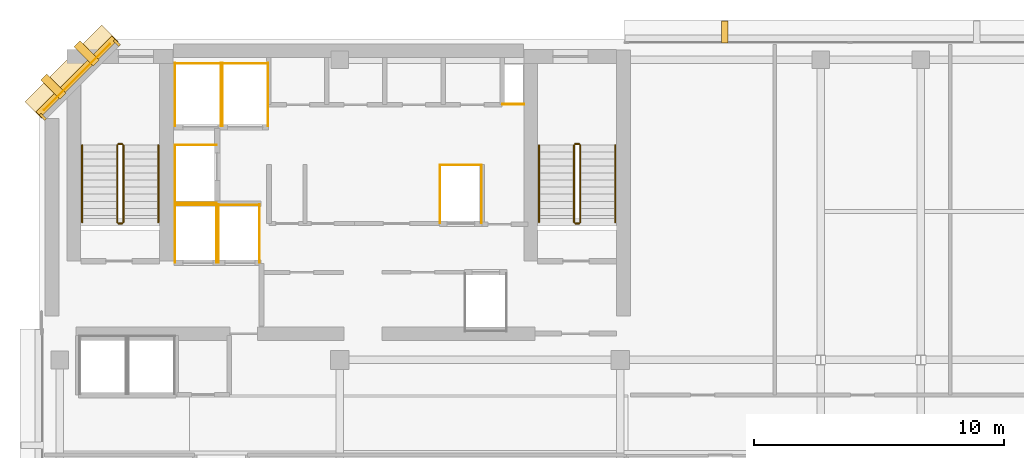
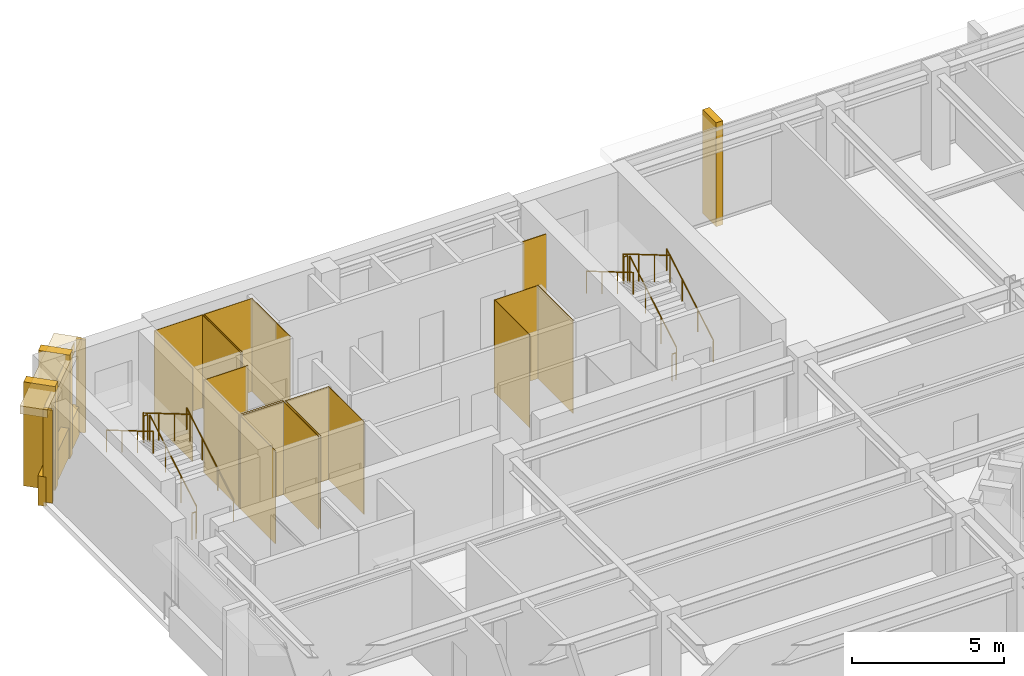
# One storey, part 11 of 12: 27 coverings, 12 railings.
"""IFC4 building model written with IfcOpenShell, lengths in metres."""

from ifc_helpers import new_model, si_unit, direction, frame, origin, origin_2d, place, context, subcontext, project, spatial, polyline, rectangle, circle, outline, extrude, material, layer, layer_set, type_object, element, save


model = new_model("IFC4")

# Units and contexts
model_context = context("Model", 3, precision=1e-05, world=origin(), true_north=direction((0.0, 1.0)))
body_context = subcontext(model_context, "Body", "Model", "MODEL_VIEW")
ifc_project = project(units=[si_unit("LENGTHUNIT", "METRE"), si_unit("AREAUNIT", "SQUARE_METRE"), si_unit("VOLUMEUNIT", "CUBIC_METRE"), si_unit("PLANEANGLEUNIT", "RADIAN"), si_unit("MASSUNIT", "GRAM", prefix="KILO")], contexts=[model_context])

# Site, building, storey
site_placement = place(None, origin())
site = spatial("IfcSite", under=ifc_project, at=site_placement, CompositionType="ELEMENT")
building_placement = place(site_placement, origin())
building = spatial("IfcBuilding", under=site, at=building_placement, Name="Kefirva Bronze Tower", CompositionType="ELEMENT")
storey_placement = place(building_placement, frame((0.0, 0.0, 296.010009765625)))
storey = spatial("IfcBuildingStorey", under=building, at=storey_placement, Name="L72", CompositionType="ELEMENT", Elevation=296.010009765625)

# Coverings
ifc_material_1 = material(Name="Bronze anodised aluminium", Category="aluminium")
ifc_layer_1 = layer(ifc_material_1, 0.02001953125, Name="Bronze anodised aluminium")
ifc_layer_set_1 = layer_set([ifc_layer_1], Name="Bronze anodised aluminium")
covering_type_1 = type_object("IfcCoveringType", Name="Anodised Bronze Spandrel Cladding 20mm", PredefinedType="CLADDING", material=ifc_layer_set_1)
covering_1_placement = place(storey_placement, frame((1.492919921875, 44.507080078125, 3.320068359375), z_axis=(0.0, 0.0, 1.0), x_axis=(-0.707106781187, -0.707106781187, 0.0)))
element("IfcCovering", 1, at=covering_1_placement, inside=storey, type_object=covering_type_1, Name="L72 Bronze Spandrel Cladding 9", PredefinedType="CLADDING", context=body_context, shape_type="SweptSolid", body=[
    extrude(rectangle(XDim=3.719482421875, YDim=0.02001953125, at=origin_2d()), origin(), (0.0, 0.0, 1.0), 0.39990234375),
])
for number, where, z_axis, x_axis, name in (
    (2, (3.08837890625, 45.862060546875, 0.0), (0.0, 0.0, 1.0), (-0.707106781187, -0.707106781187, 0.0), "L72 Facade Joint Closure Panel 9S"),
    (3, (0.137939453125, 42.91162109375, 0.0), (0.0, 0.0, 1.0), (-0.707106781187, -0.707106781187, 0.0), "L72 Facade Joint Closure Panel 9E"),
):
    element("IfcCovering", number, at=place(storey_placement, frame(where, z_axis=z_axis, x_axis=x_axis)), inside=storey, type_object=covering_type_1, Name=name, PredefinedType="CLADDING", context=body_context, shape_type="SweptSolid", body=[
        extrude(rectangle(XDim=0.10009765625, YDim=0.320068359375, at=origin_2d()), origin(), (0.0, 0.0, 1.0), 3.739990234375),
    ])
covering_2_placement = place(storey_placement, frame((1.4716796875, 44.5283203125, -0.16015625), z_axis=(0.0, 0.0, 1.0), x_axis=(-0.707106781187, -0.707106781187, 0.0)))
element("IfcCovering", 4, at=covering_2_placement, inside=storey, type_object=covering_type_1, Name="L72 Streamline Horizontal Spandrel Band 13", PredefinedType="CLADDING", context=body_context, shape_type="SweptSolid", body=[
    extrude(rectangle(XDim=4.28271484375, YDim=0.280029296875, at=origin_2d()), origin(), (0.0, 0.0, 1.0), 1.179931640625),
])
covering_3_placement = place(storey_placement, origin())
element("IfcCovering", 5, at=covering_3_placement, inside=storey, type_object=covering_type_1, Name="L72 Lift FF1 Hoistway Liner N", PredefinedType="CLADDING", context=body_context, shape_type="SweptSolid", body=[
    extrude(outline(polyline([(5.39990234375, 39.389892578125), (7.080078125, 39.389892578125), (7.080078125, 39.409912109375), (5.39990234375, 39.409912109375), (5.39990234375, 39.389892578125)])), origin(), (0.0, 0.0, 1.0), 3.739990234375),
])
covering_4_placement = place(storey_placement, origin())
element("IfcCovering", 6, at=covering_4_placement, inside=storey, type_object=covering_type_1, Name="L72 Lift FF1 Hoistway Liner W", PredefinedType="CLADDING", context=body_context, shape_type="SweptSolid", body=[
    extrude(outline(polyline([(5.409912109375, 37.080078125), (5.429931640625, 37.080078125), (5.429931640625, 39.419921875), (5.409912109375, 39.419921875), (5.409912109375, 37.080078125)])), origin(), (0.0, 0.0, 1.0), 3.739990234375),
])
covering_5_placement = place(storey_placement, origin())
element("IfcCovering", 7, at=covering_5_placement, inside=storey, type_object=covering_type_1, Name="L72 Lift FF1 Hoistway Liner E", PredefinedType="CLADDING", context=body_context, shape_type="SweptSolid", body=[
    extrude(outline(polyline([(7.050048828125, 37.080078125), (7.070068359375, 37.080078125), (7.070068359375, 39.419921875), (7.050048828125, 39.419921875), (7.050048828125, 37.080078125)])), origin(), (0.0, 0.0, 1.0), 3.739990234375),
])
covering_6_placement = place(storey_placement, origin())
element("IfcCovering", 8, at=covering_6_placement, inside=storey, type_object=covering_type_1, Name="L72 Lift FF2 Hoistway Liner N", PredefinedType="CLADDING", context=body_context, shape_type="SweptSolid", body=[
    extrude(outline(polyline([(7.1201171875, 39.389892578125), (8.800048828125, 39.389892578125), (8.800048828125, 39.409912109375), (7.1201171875, 39.409912109375), (7.1201171875, 39.389892578125)])), origin(), (0.0, 0.0, 1.0), 3.739990234375),
])
covering_7_placement = place(storey_placement, origin())
element("IfcCovering", 9, at=covering_7_placement, inside=storey, type_object=covering_type_1, Name="L72 Lift FF2 Hoistway Liner W", PredefinedType="CLADDING", context=body_context, shape_type="SweptSolid", body=[
    extrude(outline(polyline([(7.1298828125, 37.080078125), (7.14990234375, 37.080078125), (7.14990234375, 39.419921875), (7.1298828125, 39.419921875), (7.1298828125, 37.080078125)])), origin(), (0.0, 0.0, 1.0), 3.739990234375),
])
covering_8_placement = place(storey_placement, origin())
element("IfcCovering", 10, at=covering_8_placement, inside=storey, type_object=covering_type_1, Name="L72 Lift FF2 Hoistway Liner E", PredefinedType="CLADDING", context=body_context, shape_type="SweptSolid", body=[
    extrude(outline(polyline([(8.77001953125, 37.080078125), (8.7900390625, 37.080078125), (8.7900390625, 39.419921875), (8.77001953125, 39.419921875), (8.77001953125, 37.080078125)])), origin(), (0.0, 0.0, 1.0), 3.739990234375),
])
covering_9_placement = place(storey_placement, origin())
element("IfcCovering", 11, at=covering_9_placement, inside=storey, type_object=covering_type_1, Name="L72 Lift SV1 Hoistway Liner N", PredefinedType="CLADDING", context=body_context, shape_type="SweptSolid", body=[
    extrude(outline(polyline([(5.39990234375, 45.0400390625), (7.260009765625, 45.0400390625), (7.260009765625, 45.06005859375), (5.39990234375, 45.06005859375), (5.39990234375, 45.0400390625)])), origin(), (0.0, 0.0, 1.0), 3.739990234375),
])
covering_10_placement = place(storey_placement, origin())
element("IfcCovering", 12, at=covering_10_placement, inside=storey, type_object=covering_type_1, Name="L72 Lift SV1 Hoistway Liner W", PredefinedType="CLADDING", context=body_context, shape_type="SweptSolid", body=[
    extrude(outline(polyline([(5.409912109375, 42.530029296875), (5.429931640625, 42.530029296875), (5.429931640625, 45.070068359375), (5.409912109375, 45.070068359375), (5.409912109375, 42.530029296875)])), origin(), (0.0, 0.0, 1.0), 3.739990234375),
])
covering_11_placement = place(storey_placement, origin())
element("IfcCovering", 13, at=covering_11_placement, inside=storey, type_object=covering_type_1, Name="L72 Lift SV1 Hoistway Liner E", PredefinedType="CLADDING", context=body_context, shape_type="SweptSolid", body=[
    extrude(outline(polyline([(7.22998046875, 42.530029296875), (7.25, 42.530029296875), (7.25, 45.070068359375), (7.22998046875, 45.070068359375), (7.22998046875, 42.530029296875)])), origin(), (0.0, 0.0, 1.0), 3.739990234375),
])
covering_12_placement = place(storey_placement, origin())
element("IfcCovering", 14, at=covering_12_placement, inside=storey, type_object=covering_type_1, Name="L72 Lift SV2 Hoistway Liner N", PredefinedType="CLADDING", context=body_context, shape_type="SweptSolid", body=[
    extrude(outline(polyline([(7.280029296875, 45.0400390625), (9.139892578125, 45.0400390625), (9.139892578125, 45.06005859375), (7.280029296875, 45.06005859375), (7.280029296875, 45.0400390625)])), origin(), (0.0, 0.0, 1.0), 3.739990234375),
])
covering_13_placement = place(storey_placement, origin())
element("IfcCovering", 15, at=covering_13_placement, inside=storey, type_object=covering_type_1, Name="L72 Lift SV2 Hoistway Liner W", PredefinedType="CLADDING", context=body_context, shape_type="SweptSolid", body=[
    extrude(outline(polyline([(7.2900390625, 42.530029296875), (7.31005859375, 42.530029296875), (7.31005859375, 45.070068359375), (7.2900390625, 45.070068359375), (7.2900390625, 42.530029296875)])), origin(), (0.0, 0.0, 1.0), 3.739990234375),
])
covering_14_placement = place(storey_placement, origin())
element("IfcCovering", 16, at=covering_14_placement, inside=storey, type_object=covering_type_1, Name="L72 Lift SV2 Hoistway Liner E", PredefinedType="CLADDING", context=body_context, shape_type="SweptSolid", body=[
    extrude(outline(polyline([(9.110107421875, 42.530029296875), (9.1298828125, 42.530029296875), (9.1298828125, 45.070068359375), (9.110107421875, 45.070068359375), (9.110107421875, 42.530029296875)])), origin(), (0.0, 0.0, 1.0), 3.739990234375),
])
covering_15_placement = place(storey_placement, origin())
element("IfcCovering", 17, at=covering_15_placement, inside=storey, type_object=covering_type_1, Name="L72 Lift HP2 Hoistway Liner N", PredefinedType="CLADDING", context=body_context, shape_type="SweptSolid", body=[
    extrude(outline(polyline([(15.97998046875, 40.969970703125), (17.669921875, 40.969970703125), (17.669921875, 40.989990234375), (15.97998046875, 40.989990234375), (15.97998046875, 40.969970703125)])), origin(), (0.0, 0.0, 1.0), 3.739990234375),
])
covering_16_placement = place(storey_placement, origin())
element("IfcCovering", 18, at=covering_16_placement, inside=storey, type_object=covering_type_1, Name="L72 Lift HP2 Hoistway Liner W", PredefinedType="CLADDING", context=body_context, shape_type="SweptSolid", body=[
    extrude(outline(polyline([(15.989990234375, 38.659912109375), (16.010009765625, 38.659912109375), (16.010009765625, 41.0), (15.989990234375, 41.0), (15.989990234375, 38.659912109375)])), origin(), (0.0, 0.0, 1.0), 3.739990234375),
])
covering_17_placement = place(storey_placement, origin())
element("IfcCovering", 19, at=covering_17_placement, inside=storey, type_object=covering_type_1, Name="L72 Lift HP2 Hoistway Liner E", PredefinedType="CLADDING", context=body_context, shape_type="SweptSolid", body=[
    extrude(outline(polyline([(17.639892578125, 38.659912109375), (17.659912109375, 38.659912109375), (17.659912109375, 41.0), (17.639892578125, 41.0), (17.639892578125, 38.659912109375)])), origin(), (0.0, 0.0, 1.0), 3.739990234375),
])
covering_18_placement = place(storey_placement, origin())
element("IfcCovering", 20, at=covering_18_placement, inside=storey, type_object=covering_type_1, Name="L72 Lift HP3 Hoistway Liner N", PredefinedType="CLADDING", context=body_context, shape_type="SweptSolid", body=[
    extrude(outline(polyline([(5.39990234375, 41.77001953125), (7.080078125, 41.77001953125), (7.080078125, 41.7900390625), (5.39990234375, 41.7900390625), (5.39990234375, 41.77001953125)])), origin(), (0.0, 0.0, 1.0), 3.739990234375),
])
covering_19_placement = place(storey_placement, origin())
element("IfcCovering", 21, at=covering_19_placement, inside=storey, type_object=covering_type_1, Name="L72 Lift HP3 Hoistway Liner S", PredefinedType="CLADDING", context=body_context, shape_type="SweptSolid", body=[
    extrude(outline(polyline([(5.39990234375, 39.469970703125), (7.080078125, 39.469970703125), (7.080078125, 39.489990234375), (5.39990234375, 39.489990234375), (5.39990234375, 39.469970703125)])), origin(), (0.0, 0.0, 1.0), 3.739990234375),
])
covering_20_placement = place(storey_placement, origin())
element("IfcCovering", 22, at=covering_20_placement, inside=storey, type_object=covering_type_1, Name="L72 Lift HP3 Hoistway Liner W", PredefinedType="CLADDING", context=body_context, shape_type="SweptSolid", body=[
    extrude(outline(polyline([(5.409912109375, 39.4599609375), (5.429931640625, 39.4599609375), (5.429931640625, 41.800048828125), (5.409912109375, 41.800048828125), (5.409912109375, 39.4599609375)])), origin(), (0.0, 0.0, 1.0), 3.739990234375),
])
covering_21_placement = place(storey_placement, origin())
element("IfcCovering", 23, at=covering_21_placement, inside=storey, type_object=covering_type_1, Name="L72 Core MEP Riser Shaft Liner South", PredefinedType="CLADDING", context=body_context, shape_type="SweptSolid", body=[
    extrude(outline(polyline([(18.47998046875, 43.39990234375), (19.360107421875, 43.39990234375), (19.360107421875, 43.429931640625), (18.47998046875, 43.429931640625), (18.47998046875, 43.39990234375)])), origin(), (0.0, 0.0, 1.0), 3.739990234375),
])

# Railings
ifc_material_2 = material(Name="Stainless steel 316", Category="steel")
railing_type_1 = type_object("IfcRailingType", Name="Interior Stair Guardrail 1100mm", PredefinedType="GUARDRAIL", material=ifc_material_2)
railing_1_placement = place(storey_placement, frame((3.35009765625, 38.699951171875, 0.1650390625)))
element("IfcRailing", 24, at=railing_1_placement, inside=storey, type_object=railing_type_1, Name="L72 ST-1 stair guard 1", PredefinedType="GUARDRAIL", context=body_context, shape_type="SweptSolid", body=[
    extrude(circle(Radius=0.02392578125, at=origin_2d()), frame((0.0, 0.0, 1.076171875), z_axis=(0.0, 0.861551262678, 0.507670583921), x_axis=(-1.0, 0.0, 0.0)), (0.0, 0.0, 1.0), 3.574951171875),
    extrude(circle(Radius=0.02099609375, at=origin_2d()), origin(), (0.0, 0.0, 1.0), 1.052001953125),
    extrude(circle(Radius=0.02099609375, at=origin_2d()), frame((0.0, 1.026611328125, 0.60498046875)), (0.0, 0.0, 1.0), 1.052001953125),
    extrude(circle(Radius=0.02099609375, at=origin_2d()), frame((0.0, 2.053466796875, 1.2099609375)), (0.0, 0.0, 1.0), 1.052001953125),
    extrude(circle(Radius=0.02099609375, at=origin_2d()), frame((0.0, 3.080078125, 1.81494140625)), (0.0, 0.0, 1.0), 1.052001953125),
])
railing_2_placement = place(storey_placement, frame((3.300048828125, 41.830078125, 1.97998046875)))
element("IfcRailing", 25, at=railing_2_placement, inside=storey, type_object=railing_type_1, Name="L72 ST-1 stair guard 2", PredefinedType="GUARDRAIL", context=body_context, shape_type="SweptSolid", body=[
    extrude(circle(Radius=0.02392578125, at=origin_2d()), frame((0.0, 0.0, 1.076171875), z_axis=(-1.0, 0.0, 0.0), x_axis=(0.0, -1.0, 0.0)), (0.0, 0.0, 1.0), 0.150146484375),
    extrude(circle(Radius=0.02099609375, at=origin_2d()), origin(), (0.0, 0.0, 1.0), 1.052001953125),
    extrude(circle(Radius=0.02099609375, at=origin_2d()), frame((-0.150146484375, 0.0, 0.0)), (0.0, 0.0, 1.0), 1.052001953125),
])
railing_3_placement = place(storey_placement, frame((3.10009765625, 41.780029296875, 2.14501953125)))
element("IfcRailing", 26, at=railing_3_placement, inside=storey, type_object=railing_type_1, Name="L72 ST-1 stair guard 3", PredefinedType="GUARDRAIL", context=body_context, shape_type="SweptSolid", body=[
    extrude(circle(Radius=0.02392578125, at=origin_2d()), frame((0.0, 0.0, 1.076171875), z_axis=(0.0, -0.861551262678, 0.507670583921), x_axis=(1.0, 0.0, 0.0)), (0.0, 0.0, 1.0), 3.574951171875),
    extrude(circle(Radius=0.02099609375, at=origin_2d()), origin(), (0.0, 0.0, 1.0), 1.052001953125),
    extrude(circle(Radius=0.02099609375, at=origin_2d()), frame((0.0, -1.026611328125, 0.60498046875)), (0.0, 0.0, 1.0), 1.052001953125),
    extrude(circle(Radius=0.02099609375, at=origin_2d()), frame((0.0, -2.053466796875, 1.2099609375)), (0.0, 0.0, 1.0), 1.052001953125),
    extrude(circle(Radius=0.02099609375, at=origin_2d()), frame((0.0, -3.080078125, 1.81494140625)), (0.0, 0.0, 1.0), 1.052001953125),
])
railing_4_placement = place(storey_placement, frame((3.300048828125, 38.64990234375, 0.0)))
element("IfcRailing", 27, at=railing_4_placement, inside=storey, type_object=railing_type_1, Name="L72 ST-1 stair guard 4", PredefinedType="GUARDRAIL", context=body_context, shape_type="SweptSolid", body=[
    extrude(circle(Radius=0.02392578125, at=origin_2d()), frame((0.0, 0.0, 1.076171875), z_axis=(-1.0, 0.0, 0.0), x_axis=(0.0, -1.0, 0.0)), (0.0, 0.0, 1.0), 0.150146484375),
    extrude(circle(Radius=0.02099609375, at=origin_2d()), origin(), (0.0, 0.0, 1.0), 1.052001953125),
    extrude(circle(Radius=0.02099609375, at=origin_2d()), frame((-0.150146484375, 0.0, 0.0)), (0.0, 0.0, 1.0), 1.052001953125),
])
railing_5_placement = place(storey_placement, frame((21.60009765625, 38.699951171875, 0.1650390625)))
element("IfcRailing", 28, at=railing_5_placement, inside=storey, type_object=railing_type_1, Name="L72 ST-2 stair guard 1", PredefinedType="GUARDRAIL", context=body_context, shape_type="SweptSolid", body=[
    extrude(circle(Radius=0.02392578125, at=origin_2d()), frame((0.0, 0.0, 1.076171875), z_axis=(0.0, 0.861551262678, 0.507670583921), x_axis=(-1.0, 0.0, 0.0)), (0.0, 0.0, 1.0), 3.574951171875),
    extrude(circle(Radius=0.02099609375, at=origin_2d()), origin(), (0.0, 0.0, 1.0), 1.052001953125),
    extrude(circle(Radius=0.02099609375, at=origin_2d()), frame((0.0, 1.026611328125, 0.60498046875)), (0.0, 0.0, 1.0), 1.052001953125),
    extrude(circle(Radius=0.02099609375, at=origin_2d()), frame((0.0, 2.053466796875, 1.2099609375)), (0.0, 0.0, 1.0), 1.052001953125),
    extrude(circle(Radius=0.02099609375, at=origin_2d()), frame((0.0, 3.080078125, 1.81494140625)), (0.0, 0.0, 1.0), 1.052001953125),
])
railing_6_placement = place(storey_placement, frame((21.550048828125, 41.830078125, 1.97998046875)))
element("IfcRailing", 29, at=railing_6_placement, inside=storey, type_object=railing_type_1, Name="L72 ST-2 stair guard 2", PredefinedType="GUARDRAIL", context=body_context, shape_type="SweptSolid", body=[
    extrude(circle(Radius=0.02392578125, at=origin_2d()), frame((0.0, 0.0, 1.076171875), z_axis=(-1.0, 0.0, 0.0), x_axis=(0.0, -1.0, 0.0)), (0.0, 0.0, 1.0), 0.150146484375),
    extrude(circle(Radius=0.02099609375, at=origin_2d()), origin(), (0.0, 0.0, 1.0), 1.052001953125),
    extrude(circle(Radius=0.02099609375, at=origin_2d()), frame((-0.150146484375, 0.0, 0.0)), (0.0, 0.0, 1.0), 1.052001953125),
])
railing_7_placement = place(storey_placement, frame((21.35009765625, 41.780029296875, 2.14501953125)))
element("IfcRailing", 30, at=railing_7_placement, inside=storey, type_object=railing_type_1, Name="L72 ST-2 stair guard 3", PredefinedType="GUARDRAIL", context=body_context, shape_type="SweptSolid", body=[
    extrude(circle(Radius=0.02392578125, at=origin_2d()), frame((0.0, 0.0, 1.076171875), z_axis=(0.0, -0.861551262678, 0.507670583921), x_axis=(1.0, 0.0, 0.0)), (0.0, 0.0, 1.0), 3.574951171875),
    extrude(circle(Radius=0.02099609375, at=origin_2d()), origin(), (0.0, 0.0, 1.0), 1.052001953125),
    extrude(circle(Radius=0.02099609375, at=origin_2d()), frame((0.0, -1.026611328125, 0.60498046875)), (0.0, 0.0, 1.0), 1.052001953125),
    extrude(circle(Radius=0.02099609375, at=origin_2d()), frame((0.0, -2.053466796875, 1.2099609375)), (0.0, 0.0, 1.0), 1.052001953125),
    extrude(circle(Radius=0.02099609375, at=origin_2d()), frame((0.0, -3.080078125, 1.81494140625)), (0.0, 0.0, 1.0), 1.052001953125),
])
railing_8_placement = place(storey_placement, frame((21.550048828125, 38.64990234375, 0.0)))
element("IfcRailing", 31, at=railing_8_placement, inside=storey, type_object=railing_type_1, Name="L72 ST-2 stair guard 4", PredefinedType="GUARDRAIL", context=body_context, shape_type="SweptSolid", body=[
    extrude(circle(Radius=0.02392578125, at=origin_2d()), frame((0.0, 0.0, 1.076171875), z_axis=(-1.0, 0.0, 0.0), x_axis=(0.0, -1.0, 0.0)), (0.0, 0.0, 1.0), 0.150146484375),
    extrude(circle(Radius=0.02099609375, at=origin_2d()), origin(), (0.0, 0.0, 1.0), 1.052001953125),
    extrude(circle(Radius=0.02099609375, at=origin_2d()), frame((-0.150146484375, 0.0, 0.0)), (0.0, 0.0, 1.0), 1.052001953125),
])
railing_type_2 = type_object("IfcRailingType", Name="Stair Pitch Handrail 900mm", PredefinedType="HANDRAIL", material=ifc_material_2)
railing_9_placement = place(storey_placement, frame((4.75, 38.699951171875, 0.1650390625)))
element("IfcRailing", 32, at=railing_9_placement, inside=storey, type_object=railing_type_2, Name="L72 ST-1 stair handrail 1", PredefinedType="HANDRAIL", context=body_context, shape_type="SweptSolid", body=[
    extrude(circle(Radius=0.02392578125, at=origin_2d()), frame((0.0, 0.0, 0.8759765625), z_axis=(0.0, 0.861551262678, 0.507670583921), x_axis=(-1.0, 0.0, 0.0)), (0.0, 0.0, 1.0), 3.574951171875),
    extrude(circle(Radius=0.02099609375, at=origin_2d()), origin(), (0.0, 0.0, 1.0), 0.851806640625),
    extrude(circle(Radius=0.02099609375, at=origin_2d()), frame((0.0, 1.026611328125, 0.60498046875)), (0.0, 0.0, 1.0), 0.851806640625),
    extrude(circle(Radius=0.02099609375, at=origin_2d()), frame((0.0, 2.053466796875, 1.2099609375)), (0.0, 0.0, 1.0), 0.851806640625),
    extrude(circle(Radius=0.02099609375, at=origin_2d()), frame((0.0, 3.080078125, 1.81494140625)), (0.0, 0.0, 1.0), 0.851806640625),
])
railing_10_placement = place(storey_placement, frame((1.699951171875, 41.780029296875, 2.14501953125)))
element("IfcRailing", 33, at=railing_10_placement, inside=storey, type_object=railing_type_2, Name="L72 ST-1 stair handrail 2", PredefinedType="HANDRAIL", context=body_context, shape_type="SweptSolid", body=[
    extrude(circle(Radius=0.02392578125, at=origin_2d()), frame((0.0, 0.0, 0.8759765625), z_axis=(0.0, -0.861551262678, 0.507670583921), x_axis=(1.0, 0.0, 0.0)), (0.0, 0.0, 1.0), 3.574951171875),
    extrude(circle(Radius=0.02099609375, at=origin_2d()), origin(), (0.0, 0.0, 1.0), 0.851806640625),
    extrude(circle(Radius=0.02099609375, at=origin_2d()), frame((0.0, -1.026611328125, 0.60498046875)), (0.0, 0.0, 1.0), 0.851806640625),
    extrude(circle(Radius=0.02099609375, at=origin_2d()), frame((0.0, -2.053466796875, 1.2099609375)), (0.0, 0.0, 1.0), 0.851806640625),
    extrude(circle(Radius=0.02099609375, at=origin_2d()), frame((0.0, -3.080078125, 1.81494140625)), (0.0, 0.0, 1.0), 0.851806640625),
])
railing_11_placement = place(storey_placement, frame((23.0, 38.699951171875, 0.1650390625)))
element("IfcRailing", 34, at=railing_11_placement, inside=storey, type_object=railing_type_2, Name="L72 ST-2 stair handrail 1", PredefinedType="HANDRAIL", context=body_context, shape_type="SweptSolid", body=[
    extrude(circle(Radius=0.02392578125, at=origin_2d()), frame((0.0, 0.0, 0.8759765625), z_axis=(0.0, 0.861551262678, 0.507670583921), x_axis=(-1.0, 0.0, 0.0)), (0.0, 0.0, 1.0), 3.574951171875),
    extrude(circle(Radius=0.02099609375, at=origin_2d()), origin(), (0.0, 0.0, 1.0), 0.851806640625),
    extrude(circle(Radius=0.02099609375, at=origin_2d()), frame((0.0, 1.026611328125, 0.60498046875)), (0.0, 0.0, 1.0), 0.851806640625),
    extrude(circle(Radius=0.02099609375, at=origin_2d()), frame((0.0, 2.053466796875, 1.2099609375)), (0.0, 0.0, 1.0), 0.851806640625),
    extrude(circle(Radius=0.02099609375, at=origin_2d()), frame((0.0, 3.080078125, 1.81494140625)), (0.0, 0.0, 1.0), 0.851806640625),
])
railing_12_placement = place(storey_placement, frame((19.949951171875, 41.780029296875, 2.14501953125)))
element("IfcRailing", 35, at=railing_12_placement, inside=storey, type_object=railing_type_2, Name="L72 ST-2 stair handrail 2", PredefinedType="HANDRAIL", context=body_context, shape_type="SweptSolid", body=[
    extrude(circle(Radius=0.02392578125, at=origin_2d()), frame((0.0, 0.0, 0.8759765625), z_axis=(0.0, -0.861551262678, 0.507670583921), x_axis=(1.0, 0.0, 0.0)), (0.0, 0.0, 1.0), 3.574951171875),
    extrude(circle(Radius=0.02099609375, at=origin_2d()), origin(), (0.0, 0.0, 1.0), 0.851806640625),
    extrude(circle(Radius=0.02099609375, at=origin_2d()), frame((0.0, -1.026611328125, 0.60498046875)), (0.0, 0.0, 1.0), 0.851806640625),
    extrude(circle(Radius=0.02099609375, at=origin_2d()), frame((0.0, -2.053466796875, 1.2099609375)), (0.0, 0.0, 1.0), 0.851806640625),
    extrude(circle(Radius=0.02099609375, at=origin_2d()), frame((0.0, -3.080078125, 1.81494140625)), (0.0, 0.0, 1.0), 0.851806640625),
])

# Coverings
ifc_layer_2 = layer(ifc_material_1, 0.179931640625, Name="Bronze anodised aluminium")
ifc_layer_set_2 = layer_set([ifc_layer_2], Name="Bronze anodised aluminium")
covering_type_2 = type_object("IfcCoveringType", Name="Streamline Bronze Sunshade Eyebrow Cladding 180mm", PredefinedType="CLADDING", material=ifc_layer_set_2)
covering_22_placement = place(storey_placement, frame((1.28076171875, 44.71923828125, 3.419921875), z_axis=(0.0, 0.0, 1.0), x_axis=(-0.707106781187, -0.707106781187, 0.0)))
element("IfcCovering", 36, at=covering_22_placement, inside=storey, type_object=covering_type_2, Name="L72 Streamline Bronze Sunshade Eyebrow 13", PredefinedType="CLADDING", context=body_context, shape_type="SweptSolid", body=[
    extrude(rectangle(XDim=4.322509765625, YDim=0.93994140625, at=origin_2d()), origin(), (0.0, 0.0, 1.0), 0.320068359375),
])
ifc_layer_3 = layer(ifc_material_1, 0.260009765625, Name="Bronze anodised aluminium")
ifc_layer_set_3 = layer_set([ifc_layer_3], Name="Bronze anodised aluminium")
covering_type_3 = type_object("IfcCoveringType", Name="Unbroken Bronze Buttress Fin Cladding 260mm", PredefinedType="CLADDING", material=ifc_layer_set_3)
covering_23_placement = place(storey_placement, frame((27.364013671875, 46.300048828125, -0.22021484375), z_axis=(0.0, 0.0, 1.0), x_axis=(-1.0, 0.0, 0.0)))
element("IfcCovering", 37, at=covering_23_placement, inside=storey, type_object=covering_type_3, Name="L72 Unbroken Vertical Bronze Rib Fin 18", PredefinedType="CLADDING", context=body_context, shape_type="SweptSolid", body=[
    extrude(rectangle(XDim=0.260009765625, YDim=0.8798828125, at=origin_2d()), origin(), (0.0, 0.0, 1.0), 4.179931640625),
])
for number, where, z_axis, x_axis, name in (
    (38, (1.877197265625, 45.44287109375, -0.22021484375), (0.0, 0.0, 1.0), (-0.707106781187, -0.707106781187, 0.0), "L72 Chamfered Corner Buttress Fin Cladding 19"),
    (39, (0.55712890625, 44.122802734375, -0.22021484375), (0.0, 0.0, 1.0), (-0.707106781187, -0.707106781187, 0.0), "L72 Chamfered Corner Buttress Fin Cladding 20"),
):
    element("IfcCovering", number, at=place(storey_placement, frame(where, z_axis=z_axis, x_axis=x_axis)), inside=storey, type_object=covering_type_3, Name=name, PredefinedType="CLADDING", context=body_context, shape_type="SweptSolid", body=[
        extrude(rectangle(XDim=0.340087890625, YDim=1.080078125, at=origin_2d()), origin(), (0.0, 0.0, 1.0), 4.179931640625),
    ])

save(model, "model.ifc")
